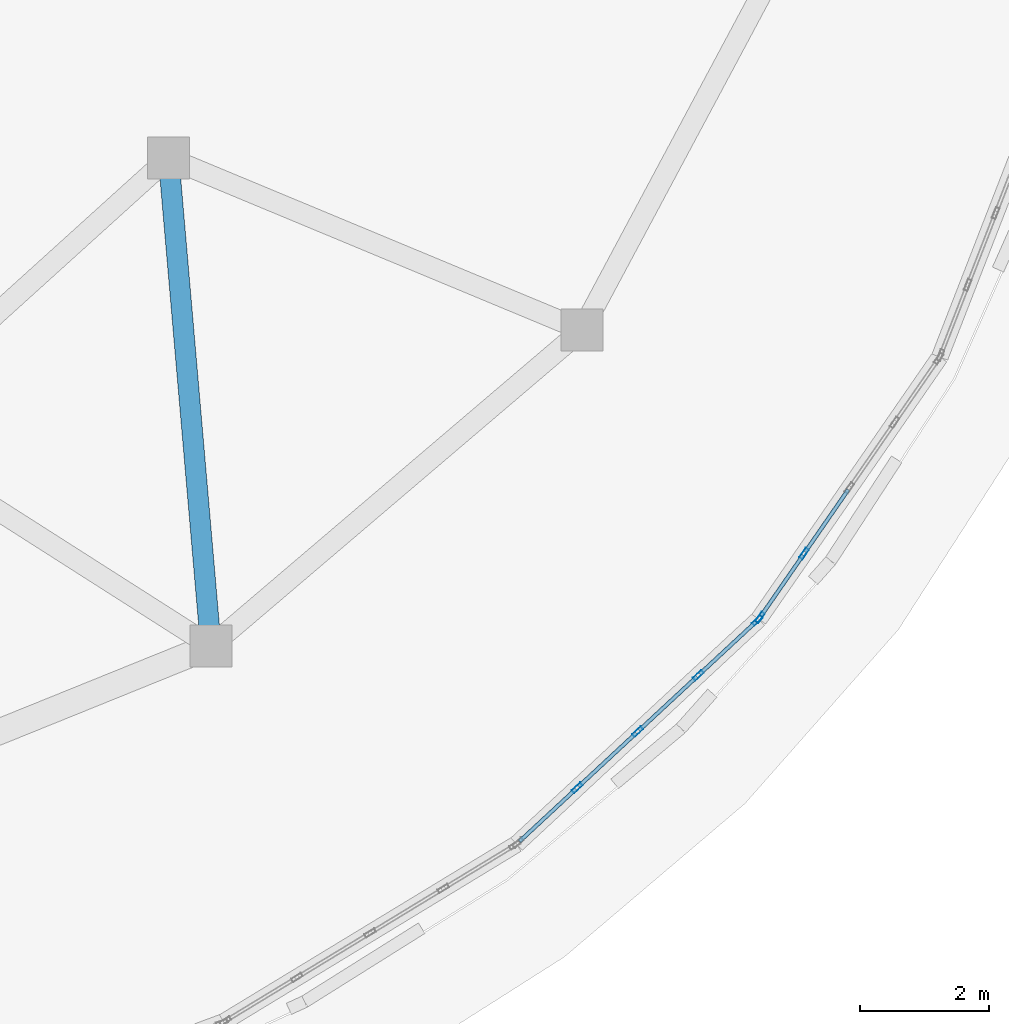
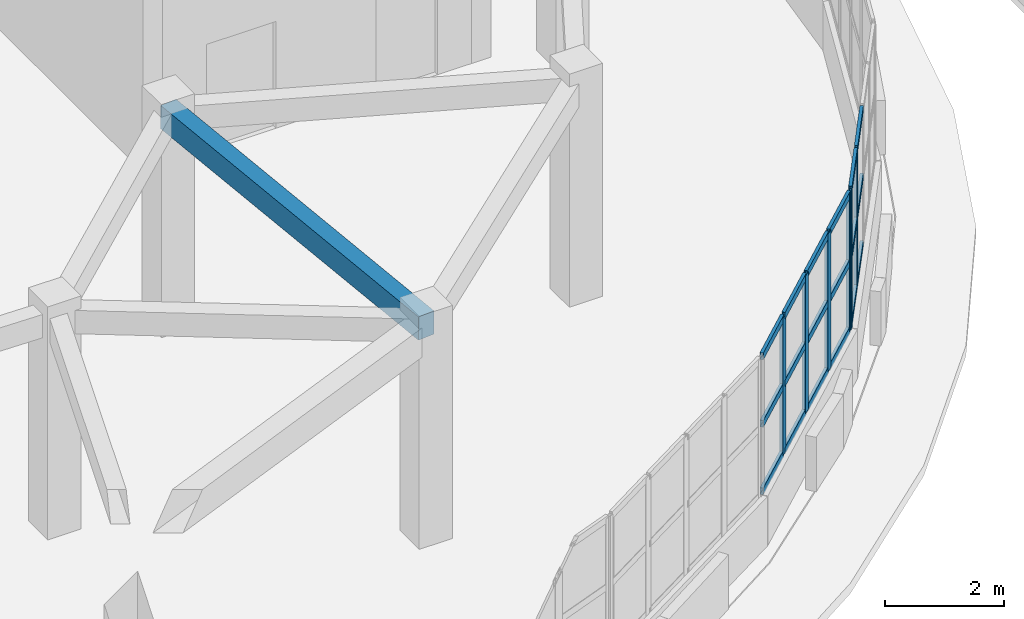
# One storey, part 52 of 105: 24 members, 1 beam, 2 elements without a shape of their own.
"""IFC4 building model written with IfcOpenShell, lengths in metres."""

from ifc_helpers import new_model, si_unit, direction, frame, origin, origin_2d, place, context, subcontext, project, spatial, rectangle, hollow_rectangle, extrude, material, layer, layer_set, material_profile, profile_set, type_object, element, aggregate, save


model = new_model("IFC4")

# Units and contexts
model_context = context("Model", 3, precision=1e-05, world=origin(), true_north=direction((0.0, 1.0)))
body_context = subcontext(model_context, "Body", "Model", "MODEL_VIEW")
ifc_project = project(units=[si_unit("LENGTHUNIT", "METRE"), si_unit("AREAUNIT", "SQUARE_METRE"), si_unit("VOLUMEUNIT", "CUBIC_METRE"), si_unit("PLANEANGLEUNIT", "RADIAN"), si_unit("MASSUNIT", "GRAM", prefix="KILO")], contexts=[model_context])

# Site, building, storey
site_placement = place(None, origin())
site = spatial("IfcSite", under=ifc_project, at=site_placement, CompositionType="ELEMENT")
building_placement = place(site_placement, origin())
building = spatial("IfcBuilding", under=site, at=building_placement, Name="Pelvatis Terrace Science Centre", CompositionType="ELEMENT")
storey_placement = place(building_placement, frame((0.0, 0.0, 10.199951171875)))
storey = spatial("IfcBuildingStorey", under=building, at=storey_placement, Name="L02", CompositionType="ELEMENT", Elevation=10.199951171875)

# Beam
ifc_material_1 = material(Name="Concrete C35/45", Category="concrete")
ifc_material_profile_1 = material_profile(ifc_material_1, rectangle(XDim=0.320068359375, YDim=0.47998046875, at=origin_2d()), Name="RC-BM 320x480")
ifc_profile_set_1 = profile_set([ifc_material_profile_1], Name="Concrete C35/45")
beam_type = type_object("IfcBeamType", Name="BM-RC-320x480", PredefinedType="BEAM", material=ifc_profile_set_1)
beam_placement = place(storey_placement, frame((123.82421875, 69.786376953125, 4.300048828125), z_axis=(-0.086284318335, 0.99627055382, 0.0), x_axis=(-0.99627055382, -0.086284318335, 0.0)))
element("IfcBeam", 1, at=beam_placement, inside=storey, type_object=beam_type, Name="Beam BM-L02-2920", PredefinedType="BEAM", context=body_context, shape_type="SweptSolid", body=[
    extrude(rectangle(XDim=0.320068359375, YDim=0.47998046875, at=origin_2d()), origin(), (0.0, 0.0, 1.0), 7.59716796875),
])

# Curtain wall, members
ifc_material_2 = material(Name="Bronze-anodised aluminium and laminated glass", Category="aluminium")
ifc_layer = layer(ifc_material_2, 0.179931640625)
ifc_layer_set = layer_set([ifc_layer], Name="Bronze-anodised aluminium and laminated glass")
curtain_wall_type = type_object("IfcCurtainWallType", Name="CW-RIBBON-A", PredefinedType="NOTDEFINED", material=ifc_layer_set)
curtain_wall_1_placement = place(storey_placement, origin())
curtain_wall_1 = element("IfcCurtainWall", 2, at=curtain_wall_1_placement, inside=storey, type_object=curtain_wall_type, Name="Ribbon curtain wall CW-179 (L02)", PredefinedType="NOTDEFINED")
ifc_material_3 = material(Name="Bronze-anodised aluminium 6063-T6", Category="aluminium")
ifc_material_profile_2 = material_profile(ifc_material_3, hollow_rectangle(XDim=0.06005859375, YDim=0.179931640625, WallThickness=0.00390625, at=origin_2d()), Name="ALU-MUL 60x180")
ifc_profile_set_2 = profile_set([ifc_material_profile_2], Name="Bronze-anodised aluminium 6063-T6")
member_type_1 = type_object("IfcMemberType", Name="CWM-60x180", PredefinedType="MULLION", material=ifc_profile_set_2)
member_1_placement = place(storey_placement, frame((129.505126953125, 67.58837890625, 1.02001953125), z_axis=(0.0, 0.0, 1.0), x_axis=(-0.680469807369, 0.732776119466, 0.0)))
member_1 = element("IfcMember", 3, at=member_1_placement, type_object=member_type_1, Name="CW-179 mullion 2", PredefinedType="MULLION", context=body_context, shape_type="SweptSolid", body=[
    extrude(hollow_rectangle(XDim=0.06005859375, YDim=0.179931640625, WallThickness=0.00390625, at=origin_2d()), origin(), (0.0, 0.0, 1.0), 2.840087890625),
])
member_2_placement = place(storey_placement, frame((130.444091796875, 68.460205078125, 1.02001953125), z_axis=(0.0, 0.0, 1.0), x_axis=(-0.680469807369, 0.732776119466, 0.0)))
member_2 = element("IfcMember", 4, at=member_2_placement, type_object=member_type_1, Name="CW-179 mullion 3", PredefinedType="MULLION", context=body_context, shape_type="SweptSolid", body=[
    extrude(hollow_rectangle(XDim=0.06005859375, YDim=0.179931640625, WallThickness=0.00390625, at=origin_2d()), origin(), (0.0, 0.0, 1.0), 2.840087890625),
])
member_3_placement = place(storey_placement, frame((131.383056640625, 69.332275390625, 1.02001953125), z_axis=(0.0, 0.0, 1.0), x_axis=(-0.680469807369, 0.732776119466, 0.0)))
member_3 = element("IfcMember", 5, at=member_3_placement, type_object=member_type_1, Name="CW-179 mullion 4", PredefinedType="MULLION", context=body_context, shape_type="SweptSolid", body=[
    extrude(hollow_rectangle(XDim=0.06005859375, YDim=0.179931640625, WallThickness=0.00390625, at=origin_2d()), origin(), (0.0, 0.0, 1.0), 2.840087890625),
])
member_4_placement = place(storey_placement, frame((132.300048828125, 70.183837890625, 1.02001953125), z_axis=(0.0, 0.0, 1.0), x_axis=(-0.680469807369, 0.732776119466, 0.0)))
member_4 = element("IfcMember", 6, at=member_4_placement, type_object=member_type_1, Name="CW-179 mullion 5", PredefinedType="MULLION", context=body_context, shape_type="SweptSolid", body=[
    extrude(hollow_rectangle(XDim=0.06005859375, YDim=0.179931640625, WallThickness=0.00390625, at=origin_2d()), origin(), (0.0, 0.0, 1.0), 2.840087890625),
])

curtain_wall_2_placement = place(storey_placement, origin())
curtain_wall_2 = element("IfcCurtainWall", 7, at=curtain_wall_2_placement, inside=storey, type_object=curtain_wall_type, Name="Ribbon curtain wall CW-180 (L02)", PredefinedType="NOTDEFINED")
member_5_placement = place(storey_placement, frame((132.339111328125, 70.22900390625, 1.02001953125), z_axis=(0.0, 0.0, 1.0), x_axis=(-0.822888336113, 0.568203120626, 0.0)))
member_5 = element("IfcMember", 8, at=member_5_placement, type_object=member_type_1, Name="CW-180 mullion 1", PredefinedType="MULLION", context=body_context, shape_type="SweptSolid", body=[
    extrude(hollow_rectangle(XDim=0.06005859375, YDim=0.179931640625, WallThickness=0.00390625, at=origin_2d()), origin(), (0.0, 0.0, 1.0), 2.840087890625),
])
member_6_placement = place(storey_placement, frame((133.023681640625, 71.220458984375, 1.02001953125), z_axis=(0.0, 0.0, 1.0), x_axis=(-0.822888336113, 0.568203120626, 0.0)))
member_6 = element("IfcMember", 9, at=member_6_placement, type_object=member_type_1, Name="CW-180 mullion 2", PredefinedType="MULLION", context=body_context, shape_type="SweptSolid", body=[
    extrude(hollow_rectangle(XDim=0.06005859375, YDim=0.179931640625, WallThickness=0.00390625, at=origin_2d()), origin(), (0.0, 0.0, 1.0), 2.840087890625),
])

# Member
ifc_material_4 = material(Name="Bronze-anodised aluminium 6063-T6", Category="aluminium")
ifc_material_profile_3 = material_profile(ifc_material_4, hollow_rectangle(XDim=0.06005859375, YDim=0.139892578125, WallThickness=0.00390625, at=origin_2d()), Name="ALU-TRN 60x140")
ifc_profile_set_3 = profile_set([ifc_material_profile_3], Name="Bronze-anodised aluminium 6063-T6")
member_type_2 = type_object("IfcMemberType", Name="CWT-60x140", PredefinedType="USERDEFINED", material=ifc_profile_set_3)
member_7_placement = place(storey_placement, frame((128.610107421875, 66.75732421875, 1.050048828125), z_axis=(0.732851881711, 0.680388212327, 0.0), x_axis=(-0.680388212327, 0.732851881711, 0.0)))
member_7 = element("IfcMember", 10, at=member_7_placement, type_object=member_type_2, Name="CW-179 transom 1.1", ObjectType="TRANSOM", PredefinedType="USERDEFINED", context=body_context, shape_type="SweptSolid", body=[
    extrude(hollow_rectangle(XDim=0.06005859375, YDim=0.139892578125, WallThickness=0.00390625, at=origin_2d()), origin(), (0.0, 0.0, 1.0), 1.19140625),
])

member_8_placement = place(storey_placement, frame((128.610107421875, 66.75732421875, 2.43994140625), z_axis=(0.732851881711, 0.680388212327, 0.0), x_axis=(-0.680388212327, 0.732851881711, 0.0)))
member_8 = element("IfcMember", 11, at=member_8_placement, type_object=member_type_2, Name="CW-179 transom 1.2", ObjectType="TRANSOM", PredefinedType="USERDEFINED", context=body_context, shape_type="SweptSolid", body=[
    extrude(hollow_rectangle(XDim=0.06005859375, YDim=0.139892578125, WallThickness=0.00390625, at=origin_2d()), origin(), (0.0, 0.0, 1.0), 1.19140625),
])

member_9_placement = place(storey_placement, frame((128.610107421875, 66.75732421875, 3.830078125), z_axis=(0.732851881711, 0.680388212327, 0.0), x_axis=(-0.680388212327, 0.732851881711, 0.0)))
member_9 = element("IfcMember", 12, at=member_9_placement, type_object=member_type_2, Name="CW-179 transom 1.3", ObjectType="TRANSOM", PredefinedType="USERDEFINED", context=body_context, shape_type="SweptSolid", body=[
    extrude(hollow_rectangle(XDim=0.06005859375, YDim=0.139892578125, WallThickness=0.00390625, at=origin_2d()), origin(), (0.0, 0.0, 1.0), 1.19140625),
])

member_10_placement = place(storey_placement, frame((129.527099609375, 67.608642578125, 1.050048828125), z_axis=(0.732708063752, 0.680543087036, 0.0), x_axis=(-0.680543087036, 0.732708063752, 0.0)))
member_10 = element("IfcMember", 13, at=member_10_placement, type_object=member_type_2, Name="CW-179 transom 2.1", ObjectType="TRANSOM", PredefinedType="USERDEFINED", context=body_context, shape_type="SweptSolid", body=[
    extrude(hollow_rectangle(XDim=0.06005859375, YDim=0.139892578125, WallThickness=0.00390625, at=origin_2d()), origin(), (0.0, 0.0, 1.0), 1.221435546875),
])

member_11_placement = place(storey_placement, frame((129.527099609375, 67.608642578125, 2.43994140625), z_axis=(0.732708063752, 0.680543087036, 0.0), x_axis=(-0.680543087036, 0.732708063752, 0.0)))
member_11 = element("IfcMember", 14, at=member_11_placement, type_object=member_type_2, Name="CW-179 transom 2.2", ObjectType="TRANSOM", PredefinedType="USERDEFINED", context=body_context, shape_type="SweptSolid", body=[
    extrude(hollow_rectangle(XDim=0.06005859375, YDim=0.139892578125, WallThickness=0.00390625, at=origin_2d()), origin(), (0.0, 0.0, 1.0), 1.221435546875),
])

member_12_placement = place(storey_placement, frame((129.527099609375, 67.608642578125, 3.830078125), z_axis=(0.732708063752, 0.680543087036, 0.0), x_axis=(-0.680543087036, 0.732708063752, 0.0)))
member_12 = element("IfcMember", 15, at=member_12_placement, type_object=member_type_2, Name="CW-179 transom 2.3", ObjectType="TRANSOM", PredefinedType="USERDEFINED", context=body_context, shape_type="SweptSolid", body=[
    extrude(hollow_rectangle(XDim=0.06005859375, YDim=0.139892578125, WallThickness=0.00390625, at=origin_2d()), origin(), (0.0, 0.0, 1.0), 1.221435546875),
])

member_13_placement = place(storey_placement, frame((130.466064453125, 68.480712890625, 1.050048828125), z_axis=(0.732807730419, 0.680435764961, 0.0), x_axis=(-0.680435764961, 0.732807730419, 0.0)))
member_13 = element("IfcMember", 16, at=member_13_placement, type_object=member_type_2, Name="CW-179 transom 3.1", ObjectType="TRANSOM", PredefinedType="USERDEFINED", context=body_context, shape_type="SweptSolid", body=[
    extrude(hollow_rectangle(XDim=0.06005859375, YDim=0.139892578125, WallThickness=0.00390625, at=origin_2d()), origin(), (0.0, 0.0, 1.0), 1.221435546875),
])

member_14_placement = place(storey_placement, frame((130.466064453125, 68.480712890625, 2.43994140625), z_axis=(0.732807730419, 0.680435764961, 0.0), x_axis=(-0.680435764961, 0.732807730419, 0.0)))
member_14 = element("IfcMember", 17, at=member_14_placement, type_object=member_type_2, Name="CW-179 transom 3.2", ObjectType="TRANSOM", PredefinedType="USERDEFINED", context=body_context, shape_type="SweptSolid", body=[
    extrude(hollow_rectangle(XDim=0.06005859375, YDim=0.139892578125, WallThickness=0.00390625, at=origin_2d()), origin(), (0.0, 0.0, 1.0), 1.221435546875),
])

member_15_placement = place(storey_placement, frame((130.466064453125, 68.480712890625, 3.830078125), z_axis=(0.732807730419, 0.680435764961, 0.0), x_axis=(-0.680435764961, 0.732807730419, 0.0)))
member_15 = element("IfcMember", 18, at=member_15_placement, type_object=member_type_2, Name="CW-179 transom 3.3", ObjectType="TRANSOM", PredefinedType="USERDEFINED", context=body_context, shape_type="SweptSolid", body=[
    extrude(hollow_rectangle(XDim=0.06005859375, YDim=0.139892578125, WallThickness=0.00390625, at=origin_2d()), origin(), (0.0, 0.0, 1.0), 1.221435546875),
])

member_16_placement = place(storey_placement, frame((131.405029296875, 69.352783203125, 1.050048828125), z_axis=(0.732851881711, 0.680388212327, 0.0), x_axis=(-0.680388212327, 0.732851881711, 0.0)))
member_16 = element("IfcMember", 19, at=member_16_placement, type_object=member_type_2, Name="CW-179 transom 4.1", ObjectType="TRANSOM", PredefinedType="USERDEFINED", context=body_context, shape_type="SweptSolid", body=[
    extrude(hollow_rectangle(XDim=0.06005859375, YDim=0.139892578125, WallThickness=0.00390625, at=origin_2d()), origin(), (0.0, 0.0, 1.0), 1.19140625),
])

member_17_placement = place(storey_placement, frame((131.405029296875, 69.352783203125, 2.43994140625), z_axis=(0.732851881711, 0.680388212327, 0.0), x_axis=(-0.680388212327, 0.732851881711, 0.0)))
member_17 = element("IfcMember", 20, at=member_17_placement, type_object=member_type_2, Name="CW-179 transom 4.2", ObjectType="TRANSOM", PredefinedType="USERDEFINED", context=body_context, shape_type="SweptSolid", body=[
    extrude(hollow_rectangle(XDim=0.06005859375, YDim=0.139892578125, WallThickness=0.00390625, at=origin_2d()), origin(), (0.0, 0.0, 1.0), 1.19140625),
])

member_18_placement = place(storey_placement, frame((131.405029296875, 69.352783203125, 3.830078125), z_axis=(0.732851881711, 0.680388212327, 0.0), x_axis=(-0.680388212327, 0.732851881711, 0.0)))
member_18 = element("IfcMember", 21, at=member_18_placement, type_object=member_type_2, Name="CW-179 transom 4.3", ObjectType="TRANSOM", PredefinedType="USERDEFINED", context=body_context, shape_type="SweptSolid", body=[
    extrude(hollow_rectangle(XDim=0.06005859375, YDim=0.139892578125, WallThickness=0.00390625, at=origin_2d()), origin(), (0.0, 0.0, 1.0), 1.19140625),
])

aggregate(curtain_wall_1, [member_1, member_2, member_3, member_4, member_7, member_8, member_9, member_10, member_11, member_12, member_13, member_14, member_15, member_16, member_17, member_18])

member_19_placement = place(storey_placement, frame((132.356201171875, 70.253662109375, 1.050048828125), z_axis=(0.568211350195, 0.822882653548, 0.0), x_axis=(-0.822882653548, 0.568211350195, 0.0)))
member_19 = element("IfcMember", 22, at=member_19_placement, type_object=member_type_2, Name="CW-180 transom 1.1", ObjectType="TRANSOM", PredefinedType="USERDEFINED", context=body_context, shape_type="SweptSolid", body=[
    extrude(hollow_rectangle(XDim=0.06005859375, YDim=0.139892578125, WallThickness=0.00390625, at=origin_2d()), origin(), (0.0, 0.0, 1.0), 1.14453125),
])

member_20_placement = place(storey_placement, frame((132.356201171875, 70.253662109375, 2.43994140625), z_axis=(0.568211350195, 0.822882653548, 0.0), x_axis=(-0.822882653548, 0.568211350195, 0.0)))
member_20 = element("IfcMember", 23, at=member_20_placement, type_object=member_type_2, Name="CW-180 transom 1.2", ObjectType="TRANSOM", PredefinedType="USERDEFINED", context=body_context, shape_type="SweptSolid", body=[
    extrude(hollow_rectangle(XDim=0.06005859375, YDim=0.139892578125, WallThickness=0.00390625, at=origin_2d()), origin(), (0.0, 0.0, 1.0), 1.14453125),
])

member_21_placement = place(storey_placement, frame((132.356201171875, 70.253662109375, 3.830078125), z_axis=(0.568211350195, 0.822882653548, 0.0), x_axis=(-0.822882653548, 0.568211350195, 0.0)))
member_21 = element("IfcMember", 24, at=member_21_placement, type_object=member_type_2, Name="CW-180 transom 1.3", ObjectType="TRANSOM", PredefinedType="USERDEFINED", context=body_context, shape_type="SweptSolid", body=[
    extrude(hollow_rectangle(XDim=0.06005859375, YDim=0.139892578125, WallThickness=0.00390625, at=origin_2d()), origin(), (0.0, 0.0, 1.0), 1.14453125),
])

member_22_placement = place(storey_placement, frame((133.040771484375, 71.2451171875, 1.050048828125), z_axis=(0.568150510698, 0.822924660703, 0.0), x_axis=(-0.822924660703, 0.568150510698, 0.0)))
member_22 = element("IfcMember", 25, at=member_22_placement, type_object=member_type_2, Name="CW-180 transom 2.1", ObjectType="TRANSOM", PredefinedType="USERDEFINED", context=body_context, shape_type="SweptSolid", body=[
    extrude(hollow_rectangle(XDim=0.06005859375, YDim=0.139892578125, WallThickness=0.00390625, at=origin_2d()), origin(), (0.0, 0.0, 1.0), 1.1748046875),
])

member_23_placement = place(storey_placement, frame((133.040771484375, 71.2451171875, 2.43994140625), z_axis=(0.568150510698, 0.822924660703, 0.0), x_axis=(-0.822924660703, 0.568150510698, 0.0)))
member_23 = element("IfcMember", 26, at=member_23_placement, type_object=member_type_2, Name="CW-180 transom 2.2", ObjectType="TRANSOM", PredefinedType="USERDEFINED", context=body_context, shape_type="SweptSolid", body=[
    extrude(hollow_rectangle(XDim=0.06005859375, YDim=0.139892578125, WallThickness=0.00390625, at=origin_2d()), origin(), (0.0, 0.0, 1.0), 1.1748046875),
])

member_24_placement = place(storey_placement, frame((133.040771484375, 71.2451171875, 3.830078125), z_axis=(0.568150510698, 0.822924660703, 0.0), x_axis=(-0.822924660703, 0.568150510698, 0.0)))
member_24 = element("IfcMember", 27, at=member_24_placement, type_object=member_type_2, Name="CW-180 transom 2.3", ObjectType="TRANSOM", PredefinedType="USERDEFINED", context=body_context, shape_type="SweptSolid", body=[
    extrude(hollow_rectangle(XDim=0.06005859375, YDim=0.139892578125, WallThickness=0.00390625, at=origin_2d()), origin(), (0.0, 0.0, 1.0), 1.1748046875),
])

aggregate(curtain_wall_2, [member_5, member_6, member_19, member_20, member_21, member_22, member_23, member_24])

save(model, "model.ifc")
